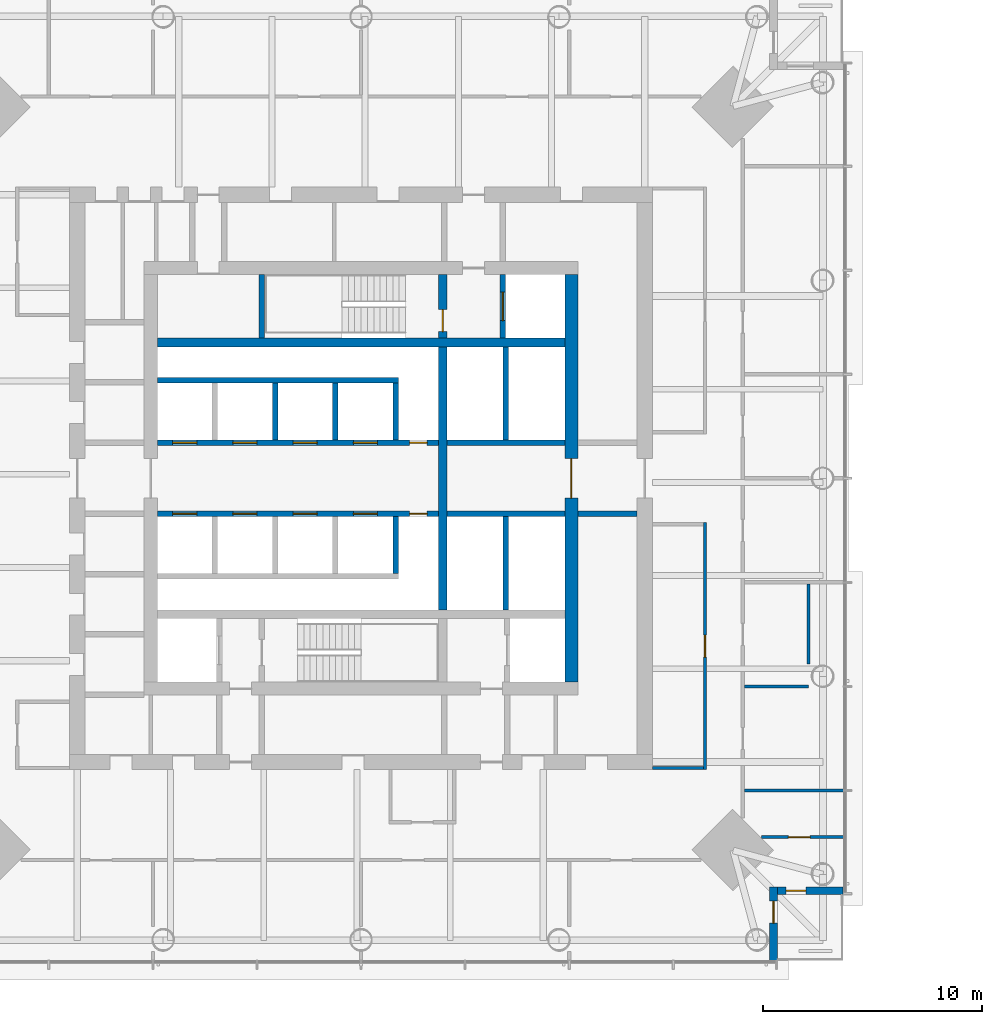
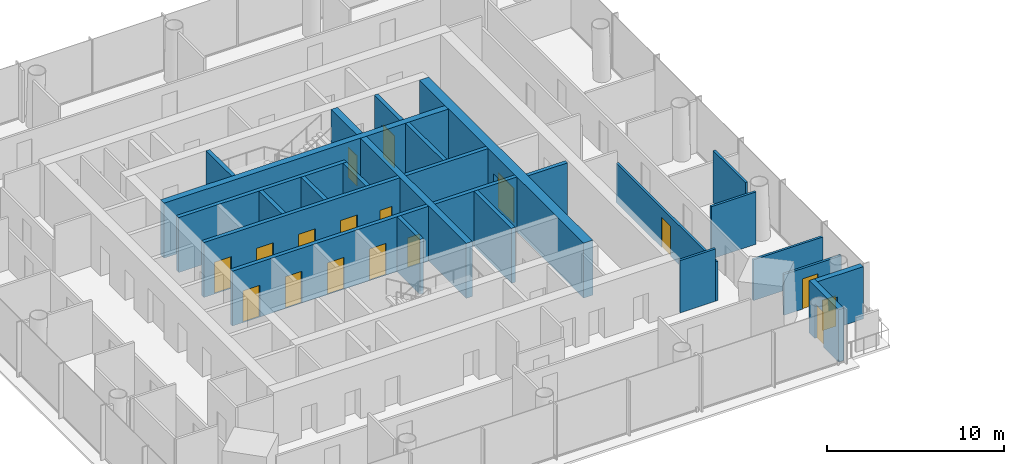
# One storey, part 10 of 27: 26 walls, 17 doors, 17 openings.
"""IFC4 building model written with IfcOpenShell, lengths in metres."""

from ifc_helpers import new_model, si_unit, direction, frame, frame_2d, origin, place, context, subcontext, project, spatial, rectangle, extrude, material, layer, layer_set, type_object, element, fill, save


model = new_model("IFC4")

# Units and contexts
model_context = context("Model", 3, precision=1e-05, world=origin(), true_north=direction((0.0, 1.0)))
body_context = subcontext(model_context, "Body", "Model", "MODEL_VIEW")
ifc_project = project(units=[si_unit("LENGTHUNIT", "METRE"), si_unit("AREAUNIT", "SQUARE_METRE"), si_unit("VOLUMEUNIT", "CUBIC_METRE"), si_unit("PLANEANGLEUNIT", "RADIAN"), si_unit("MASSUNIT", "GRAM", prefix="KILO")], contexts=[model_context])

# Site, building, storey
site_placement = place(None, origin())
site = spatial("IfcSite", under=ifc_project, at=site_placement, CompositionType="ELEMENT")
building_placement = place(site_placement, origin())
building = spatial("IfcBuilding", under=site, at=building_placement, Name="Ostroluk Exchange", CompositionType="ELEMENT")
storey_placement = place(building_placement, frame((0.0, 0.0, 112.199951171875)))
storey = spatial("IfcBuildingStorey", under=building, at=storey_placement, Name="L28", CompositionType="ELEMENT", Elevation=112.199951171875)

# Walls
ifc_material_1 = material(Name="Concrete blockwork", Category="masonry")
ifc_layer_1 = layer(ifc_material_1, 0.25)
ifc_layer_set_1 = layer_set([ifc_layer_1], Name="Blockwork stair enclosure wall 250")
wall_type_1 = type_object("IfcWallType", Name="Blockwork stair enclosure wall 250", PredefinedType="SOLIDWALL", material=ifc_layer_set_1)
wall_1_placement = place(storey_placement, frame((54.89990234375, 44.375, 0.0), z_axis=(0.0, 0.0, 1.0), x_axis=(1.0, 0.0, 0.0)))
element("IfcWall", 1, at=wall_1_placement, inside=storey, type_object=wall_type_1, Name="Lift lobby enclosure wall", PredefinedType="SOLIDWALL", context=body_context, shape_type="SweptSolid", body=[
    extrude(rectangle(XDim=2.7001953125, YDim=0.25, at=frame_2d((1.35009765625, 0.0))), origin(), (0.0, 0.0, 1.0), 3.6201171875),
])
ifc_material_2 = material(Name="Concrete C50/60", Category="concrete")
ifc_layer_2 = layer(ifc_material_2, 0.39990234375)
ifc_layer_set_2 = layer_set([ifc_layer_2], Name="Core cross wall 400 C50/60")
wall_type_2 = type_object("IfcWallType", Name="Core cross wall 400 C50/60", PredefinedType="SHEAR", material=ifc_layer_set_2)
wall_2_placement = place(storey_placement, frame((35.699951171875, 52.199951171875, 0.0), z_axis=(0.0, 0.0, 1.0), x_axis=(1.0, 0.0, 0.0)))
element("IfcWall", 2, at=wall_2_placement, inside=storey, type_object=wall_type_2, Name="T1 core wall XN", PredefinedType="SHEAR", context=body_context, shape_type="SweptSolid", body=[
    extrude(rectangle(XDim=18.60009765625, YDim=0.39990234375, at=frame_2d((9.300048828125, 0.0))), origin(), (0.0, 0.0, 1.0), 3.800048828125),
])
wall_3_placement = place(storey_placement, frame((48.72998046875, 40.0, 0.0), z_axis=(0.0, 0.0, 1.0), x_axis=(0.0, 1.0, 0.0)))
element("IfcWall", 3, at=wall_3_placement, inside=storey, type_object=wall_type_2, Name="T1 core wall YE2", PredefinedType="SHEAR", context=body_context, shape_type="SweptSolid", body=[
    extrude(rectangle(XDim=12.0, YDim=0.39990234375, at=frame_2d((6.0, 0.0))), origin(), (0.0, 0.0, 1.0), 3.800048828125),
])

# Wall, opening, door
wall_4_placement = place(storey_placement, frame((48.72998046875, 52.39990234375, 0.0), z_axis=(0.0, 0.0, 1.0), x_axis=(0.0, 1.0, 0.0)))
wall_4 = element("IfcWall", 4, at=wall_4_placement, inside=storey, type_object=wall_type_2, Name="T1 core wall YE3", PredefinedType="SHEAR", context=body_context, shape_type="SweptSolid", body=[
    extrude(rectangle(XDim=2.900146484375, YDim=0.39990234375, at=frame_2d((1.4501953125, 0.0))), origin(), (0.0, 0.0, 1.0), 3.800048828125),
])
opening_1_placement = place(wall_4_placement, frame((0.300048828125, 0.0, 0.0)))
opening_1 = element("IfcOpeningElement", 5, at=opening_1_placement, cuts=wall_4, Name="Opening FD60", PredefinedType="OPENING", context=body_context, shape_type="SweptSolid", body=[
    extrude(rectangle(XDim=1.0, YDim=2.10009765625, at=frame_2d((0.5, 1.050048828125))), frame((0.0, 0.2099609375, 0.0), z_axis=(0.0, -1.0, 0.0), x_axis=(1.0, 0.0, 0.0)), (0.0, 0.0, 1.0), 0.419921875),
])
ifc_material_3 = material(Name="Steel", Category="steel")
door_type_1 = type_object("IfcDoorType", Name="Fire door EI 60 1000 x 2100", OperationType="SINGLE_SWING_LEFT", PredefinedType="DOOR", material=ifc_material_3)
door_1_placement = place(opening_1_placement, origin())
door_1 = element("IfcDoor", 6, at=door_1_placement, inside=storey, type_object=door_type_1, Name="Stair T1-S2 door", OperationType="SINGLE_SWING_LEFT", OverallHeight=2.10009765625, OverallWidth=1.0, PredefinedType="DOOR", context=body_context, shape_type="SweptSolid", body=[
    extrude(rectangle(XDim=1.0, YDim=2.10009765625, at=frame_2d((0.5, 1.050048828125))), frame((0.0, 0.02490234375, 0.0), z_axis=(0.0, -1.0, 0.0), x_axis=(1.0, 0.0, 0.0)), (0.0, 0.0, 1.0), 0.050048828125),
])
fill(opening_1, door_1)

# Wall
ifc_material_4 = material(Name="Concrete C40/50", Category="concrete")
ifc_layer_3 = layer(ifc_material_4, 0.25)
ifc_layer_set_3 = layer_set([ifc_layer_3], Name="Core shaft wall 250")
wall_type_3 = type_object("IfcWallType", Name="Core shaft wall 250", PredefinedType="SHEAR", material=ifc_layer_set_3)
wall_5_placement = place(storey_placement, frame((40.47509765625, 52.39990234375, 0.0), z_axis=(0.0, 0.0, 1.0), x_axis=(0.0, 1.0, 0.0)))
element("IfcWall", 7, at=wall_5_placement, inside=storey, type_object=wall_type_3, Name="Stair shaft wall", PredefinedType="SHEAR", context=body_context, shape_type="SweptSolid", body=[
    extrude(rectangle(XDim=2.900146484375, YDim=0.25, at=frame_2d((1.4501953125, 0.0))), origin(), (0.0, 0.0, 1.0), 3.800048828125),
])

# Wall, opening, door
wall_6_placement = place(storey_placement, frame((51.47509765625, 52.39990234375, 0.0), z_axis=(0.0, 0.0, 1.0), x_axis=(0.0, 1.0, 0.0)))
wall_6 = element("IfcWall", 8, at=wall_6_placement, inside=storey, type_object=wall_type_3, Name="Firefighting lift shaft wall", PredefinedType="SHEAR", context=body_context, shape_type="SweptSolid", body=[
    extrude(rectangle(XDim=2.900146484375, YDim=0.25, at=frame_2d((1.4501953125, 0.0))), origin(), (0.0, 0.0, 1.0), 3.800048828125),
])
opening_2_placement = place(wall_6_placement, frame((0.800048828125, 0.0, 0.0)))
opening_2 = element("IfcOpeningElement", 9, at=opening_2_placement, cuts=wall_6, Name="Opening LD2", PredefinedType="OPENING", context=body_context, shape_type="SweptSolid", body=[
    extrude(rectangle(XDim=1.300048828125, YDim=2.199951171875, at=frame_2d((0.64990234375, 1.10009765625))), frame((0.0, 0.135009765625, 0.0), z_axis=(0.0, -1.0, 0.0), x_axis=(1.0, 0.0, 0.0)), (0.0, 0.0, 1.0), 0.27001953125),
])
ifc_material_5 = material(Name="Stainless steel", Category="steel")
door_type_2 = type_object("IfcDoorType", Name="Lift landing door E 60 1300 x 2200", OperationType="DOUBLE_DOOR_SLIDING", PredefinedType="DOOR", material=ifc_material_5)
door_2_placement = place(opening_2_placement, origin())
door_2 = element("IfcDoor", 10, at=door_2_placement, inside=storey, type_object=door_type_2, Name="Lift FL2 landing door", OperationType="DOUBLE_DOOR_SLIDING", OverallHeight=2.199951171875, OverallWidth=1.300048828125, PredefinedType="DOOR", context=body_context, shape_type="SweptSolid", body=[
    extrude(rectangle(XDim=1.300048828125, YDim=2.199951171875, at=frame_2d((0.64990234375, 1.10009765625))), frame((0.0, 0.02490234375, 0.0), z_axis=(0.0, -1.0, 0.0), x_axis=(1.0, 0.0, 0.0)), (0.0, 0.0, 1.0), 0.050048828125),
])
fill(opening_2, door_2)

# Walls
for number, where, z_axis, x_axis, name in (
    (11, (41.074951171875, 47.75, 0.0), (0.0, 0.0, 1.0), (0.0, 1.0, 0.0), "Lift shaft wall"),
    (12, (43.824951171875, 47.75, 0.0), (0.0, 0.0, 1.0), (0.0, 1.0, 0.0), "Lift shaft wall"),
    (13, (46.574951171875, 47.75, 0.0), (0.0, 0.0, 1.0), (0.0, 1.0, 0.0), "Lift shaft wall"),
):
    element("IfcWall", number, at=place(storey_placement, frame(where, z_axis=z_axis, x_axis=x_axis)), inside=storey, type_object=wall_type_3, Name=name, PredefinedType="SHEAR", context=body_context, shape_type="SweptSolid", body=[
        extrude(rectangle(XDim=2.60009765625, YDim=0.25, at=frame_2d((1.300048828125, 0.0))), origin(), (0.0, 0.0, 1.0), 3.800048828125),
    ])
wall_7_placement = place(storey_placement, frame((35.699951171875, 50.47509765625, 0.0), z_axis=(0.0, 0.0, 1.0), x_axis=(1.0, 0.0, 0.0)))
element("IfcWall", 14, at=wall_7_placement, inside=storey, type_object=wall_type_3, Name="Lift shaft wall", PredefinedType="SHEAR", context=body_context, shape_type="SweptSolid", body=[
    extrude(rectangle(XDim=11.0, YDim=0.25, at=frame_2d((5.5, 0.0))), origin(), (0.0, 0.0, 1.0), 3.800048828125),
])

# Wall, openings, doors
wall_8_placement = place(storey_placement, frame((35.699951171875, 47.625, 0.0), z_axis=(0.0, 0.0, 1.0), x_axis=(1.0, 0.0, 0.0)))
wall_8 = element("IfcWall", 15, at=wall_8_placement, inside=storey, type_object=wall_type_3, Name="Lift shaft front wall", PredefinedType="SHEAR", context=body_context, shape_type="SweptSolid", body=[
    extrude(rectangle(XDim=12.830078125, YDim=0.25, at=frame_2d((6.4150390625, 0.0))), origin(), (0.0, 0.0, 1.0), 3.800048828125),
])
opening_3_placement = place(wall_8_placement, frame((0.699951171875, 0.0, 0.0)))
opening_3 = element("IfcOpeningElement", 16, at=opening_3_placement, cuts=wall_8, Name="Opening LD", PredefinedType="OPENING", context=body_context, shape_type="SweptSolid", body=[
    extrude(rectangle(XDim=1.10009765625, YDim=2.199951171875, at=frame_2d((0.550048828125, 1.10009765625))), frame((0.0, 0.135009765625, 0.0), z_axis=(0.0, -1.0, 0.0), x_axis=(1.0, 0.0, 0.0)), (0.0, 0.0, 1.0), 0.27001953125),
])
opening_4_placement = place(wall_8_placement, frame((3.449951171875, 0.0, 0.0)))
opening_4 = element("IfcOpeningElement", 17, at=opening_4_placement, cuts=wall_8, Name="Opening LD", PredefinedType="OPENING", context=body_context, shape_type="SweptSolid", body=[
    extrude(rectangle(XDim=1.10009765625, YDim=2.199951171875, at=frame_2d((0.550048828125, 1.10009765625))), frame((0.0, 0.135009765625, 0.0), z_axis=(0.0, -1.0, 0.0), x_axis=(1.0, 0.0, 0.0)), (0.0, 0.0, 1.0), 0.27001953125),
])
opening_5_placement = place(wall_8_placement, frame((6.199951171875, 0.0, 0.0)))
opening_5 = element("IfcOpeningElement", 18, at=opening_5_placement, cuts=wall_8, Name="Opening LD", PredefinedType="OPENING", context=body_context, shape_type="SweptSolid", body=[
    extrude(rectangle(XDim=1.10009765625, YDim=2.199951171875, at=frame_2d((0.550048828125, 1.10009765625))), frame((0.0, 0.135009765625, 0.0), z_axis=(0.0, -1.0, 0.0), x_axis=(1.0, 0.0, 0.0)), (0.0, 0.0, 1.0), 0.27001953125),
])
opening_6_placement = place(wall_8_placement, frame((8.949951171875, 0.0, 0.0)))
opening_6 = element("IfcOpeningElement", 19, at=opening_6_placement, cuts=wall_8, Name="Opening LD", PredefinedType="OPENING", context=body_context, shape_type="SweptSolid", body=[
    extrude(rectangle(XDim=1.10009765625, YDim=2.199951171875, at=frame_2d((0.550048828125, 1.10009765625))), frame((0.0, 0.135009765625, 0.0), z_axis=(0.0, -1.0, 0.0), x_axis=(1.0, 0.0, 0.0)), (0.0, 0.0, 1.0), 0.27001953125),
])
opening_7_placement = place(wall_8_placement, frame((11.514892578125, 0.0, 0.0)))
opening_7 = element("IfcOpeningElement", 20, at=opening_7_placement, cuts=wall_8, Name="Opening RD60", PredefinedType="OPENING", context=body_context, shape_type="SweptSolid", body=[
    extrude(rectangle(XDim=0.800048828125, YDim=2.0, at=frame_2d((0.39990234375, 1.0))), frame((0.0, 0.135009765625, 0.0), z_axis=(0.0, -1.0, 0.0), x_axis=(1.0, 0.0, 0.0)), (0.0, 0.0, 1.0), 0.27001953125),
])
ifc_material_6 = material(Name="Stainless steel", Category="steel")
door_type_3 = type_object("IfcDoorType", Name="Lift landing door E 60 1100 x 2200", OperationType="DOUBLE_DOOR_SLIDING", PredefinedType="DOOR", material=ifc_material_6)
door_3_placement = place(opening_3_placement, origin())
door_3 = element("IfcDoor", 21, at=door_3_placement, inside=storey, type_object=door_type_3, Name="Lift PL-M1 landing door", OperationType="DOUBLE_DOOR_SLIDING", OverallHeight=2.199951171875, OverallWidth=1.10009765625, PredefinedType="DOOR", context=body_context, shape_type="SweptSolid", body=[
    extrude(rectangle(XDim=1.10009765625, YDim=2.199951171875, at=frame_2d((0.550048828125, 1.10009765625))), frame((0.0, 0.02490234375, 0.0), z_axis=(0.0, -1.0, 0.0), x_axis=(1.0, 0.0, 0.0)), (0.0, 0.0, 1.0), 0.050048828125),
])
fill(opening_3, door_3)
door_4_placement = place(opening_4_placement, origin())
door_4 = element("IfcDoor", 22, at=door_4_placement, inside=storey, type_object=door_type_3, Name="Lift PL-M2 landing door", OperationType="DOUBLE_DOOR_SLIDING", OverallHeight=2.199951171875, OverallWidth=1.10009765625, PredefinedType="DOOR", context=body_context, shape_type="SweptSolid", body=[
    extrude(rectangle(XDim=1.10009765625, YDim=2.199951171875, at=frame_2d((0.550048828125, 1.10009765625))), frame((0.0, 0.02490234375, 0.0), z_axis=(0.0, -1.0, 0.0), x_axis=(1.0, 0.0, 0.0)), (0.0, 0.0, 1.0), 0.050048828125),
])
fill(opening_4, door_4)
door_5_placement = place(opening_5_placement, origin())
door_5 = element("IfcDoor", 23, at=door_5_placement, inside=storey, type_object=door_type_3, Name="Lift PL-M3 landing door", OperationType="DOUBLE_DOOR_SLIDING", OverallHeight=2.199951171875, OverallWidth=1.10009765625, PredefinedType="DOOR", context=body_context, shape_type="SweptSolid", body=[
    extrude(rectangle(XDim=1.10009765625, YDim=2.199951171875, at=frame_2d((0.550048828125, 1.10009765625))), frame((0.0, 0.02490234375, 0.0), z_axis=(0.0, -1.0, 0.0), x_axis=(1.0, 0.0, 0.0)), (0.0, 0.0, 1.0), 0.050048828125),
])
fill(opening_5, door_5)
door_6_placement = place(opening_6_placement, origin())
door_6 = element("IfcDoor", 24, at=door_6_placement, inside=storey, type_object=door_type_3, Name="Lift PL-M4 landing door", OperationType="DOUBLE_DOOR_SLIDING", OverallHeight=2.199951171875, OverallWidth=1.10009765625, PredefinedType="DOOR", context=body_context, shape_type="SweptSolid", body=[
    extrude(rectangle(XDim=1.10009765625, YDim=2.199951171875, at=frame_2d((0.550048828125, 1.10009765625))), frame((0.0, 0.02490234375, 0.0), z_axis=(0.0, -1.0, 0.0), x_axis=(1.0, 0.0, 0.0)), (0.0, 0.0, 1.0), 0.050048828125),
])
fill(opening_6, door_6)
ifc_material_7 = material(Name="Steel", Category="steel")
door_type_4 = type_object("IfcDoorType", Name="Riser access door EI 60 800 x 2000", OperationType="SINGLE_SWING_LEFT", PredefinedType="DOOR", material=ifc_material_7)
door_7_placement = place(opening_7_placement, origin())
door_7 = element("IfcDoor", 25, at=door_7_placement, inside=storey, type_object=door_type_4, Name="Riser access door", OperationType="SINGLE_SWING_RIGHT", OverallHeight=2.0, OverallWidth=0.800048828125, PredefinedType="DOOR", context=body_context, shape_type="SweptSolid", body=[
    extrude(rectangle(XDim=0.800048828125, YDim=2.0, at=frame_2d((0.39990234375, 1.0))), frame((0.0, 0.02490234375, 0.0), z_axis=(0.0, -1.0, 0.0), x_axis=(1.0, 0.0, 0.0)), (0.0, 0.0, 1.0), 0.050048828125),
])
fill(opening_7, door_7)

# Wall
wall_9_placement = place(storey_placement, frame((46.574951171875, 44.25, 0.0), z_axis=(0.0, 0.0, 1.0), x_axis=(0.0, -1.0, 0.0)))
element("IfcWall", 26, at=wall_9_placement, inside=storey, type_object=wall_type_3, Name="Lift shaft wall", PredefinedType="SHEAR", context=body_context, shape_type="SweptSolid", body=[
    extrude(rectangle(XDim=2.60009765625, YDim=0.25, at=frame_2d((1.300048828125, 0.0))), origin(), (0.0, 0.0, 1.0), 3.800048828125),
])

# Wall, openings, doors
wall_10_placement = place(storey_placement, frame((35.699951171875, 44.375, 0.0), z_axis=(0.0, 0.0, 1.0), x_axis=(1.0, 0.0, 0.0)))
wall_10 = element("IfcWall", 27, at=wall_10_placement, inside=storey, type_object=wall_type_3, Name="Lift shaft front wall", PredefinedType="SHEAR", context=body_context, shape_type="SweptSolid", body=[
    extrude(rectangle(XDim=12.830078125, YDim=0.25, at=frame_2d((6.4150390625, 0.0))), origin(), (0.0, 0.0, 1.0), 3.800048828125),
])
opening_8_placement = place(wall_10_placement, frame((0.699951171875, 0.0, 0.0)))
opening_8 = element("IfcOpeningElement", 28, at=opening_8_placement, cuts=wall_10, Name="Opening LD", PredefinedType="OPENING", context=body_context, shape_type="SweptSolid", body=[
    extrude(rectangle(XDim=1.10009765625, YDim=2.199951171875, at=frame_2d((0.550048828125, 1.10009765625))), frame((0.0, 0.135009765625, 0.0), z_axis=(0.0, -1.0, 0.0), x_axis=(1.0, 0.0, 0.0)), (0.0, 0.0, 1.0), 0.27001953125),
])
opening_9_placement = place(wall_10_placement, frame((3.449951171875, 0.0, 0.0)))
opening_9 = element("IfcOpeningElement", 29, at=opening_9_placement, cuts=wall_10, Name="Opening LD", PredefinedType="OPENING", context=body_context, shape_type="SweptSolid", body=[
    extrude(rectangle(XDim=1.10009765625, YDim=2.199951171875, at=frame_2d((0.550048828125, 1.10009765625))), frame((0.0, 0.135009765625, 0.0), z_axis=(0.0, -1.0, 0.0), x_axis=(1.0, 0.0, 0.0)), (0.0, 0.0, 1.0), 0.27001953125),
])
opening_10_placement = place(wall_10_placement, frame((6.199951171875, 0.0, 0.0)))
opening_10 = element("IfcOpeningElement", 30, at=opening_10_placement, cuts=wall_10, Name="Opening LD", PredefinedType="OPENING", context=body_context, shape_type="SweptSolid", body=[
    extrude(rectangle(XDim=1.10009765625, YDim=2.199951171875, at=frame_2d((0.550048828125, 1.10009765625))), frame((0.0, 0.135009765625, 0.0), z_axis=(0.0, -1.0, 0.0), x_axis=(1.0, 0.0, 0.0)), (0.0, 0.0, 1.0), 0.27001953125),
])
opening_11_placement = place(wall_10_placement, frame((8.949951171875, 0.0, 0.0)))
opening_11 = element("IfcOpeningElement", 31, at=opening_11_placement, cuts=wall_10, Name="Opening LD", PredefinedType="OPENING", context=body_context, shape_type="SweptSolid", body=[
    extrude(rectangle(XDim=1.10009765625, YDim=2.199951171875, at=frame_2d((0.550048828125, 1.10009765625))), frame((0.0, 0.135009765625, 0.0), z_axis=(0.0, -1.0, 0.0), x_axis=(1.0, 0.0, 0.0)), (0.0, 0.0, 1.0), 0.27001953125),
])
opening_12_placement = place(wall_10_placement, frame((11.514892578125, 0.0, 0.0)))
opening_12 = element("IfcOpeningElement", 32, at=opening_12_placement, cuts=wall_10, Name="Opening RD60", PredefinedType="OPENING", context=body_context, shape_type="SweptSolid", body=[
    extrude(rectangle(XDim=0.800048828125, YDim=2.0, at=frame_2d((0.39990234375, 1.0))), frame((0.0, 0.135009765625, 0.0), z_axis=(0.0, -1.0, 0.0), x_axis=(1.0, 0.0, 0.0)), (0.0, 0.0, 1.0), 0.27001953125),
])
door_8_placement = place(opening_8_placement, origin())
door_8 = element("IfcDoor", 33, at=door_8_placement, inside=storey, type_object=door_type_3, Name="Lift PL-M5 landing door", OperationType="DOUBLE_DOOR_SLIDING", OverallHeight=2.199951171875, OverallWidth=1.10009765625, PredefinedType="DOOR", context=body_context, shape_type="SweptSolid", body=[
    extrude(rectangle(XDim=1.10009765625, YDim=2.199951171875, at=frame_2d((0.550048828125, 1.10009765625))), frame((0.0, 0.02490234375, 0.0), z_axis=(0.0, -1.0, 0.0), x_axis=(1.0, 0.0, 0.0)), (0.0, 0.0, 1.0), 0.050048828125),
])
fill(opening_8, door_8)
door_9_placement = place(opening_9_placement, origin())
door_9 = element("IfcDoor", 34, at=door_9_placement, inside=storey, type_object=door_type_3, Name="Lift PL-M6 landing door", OperationType="DOUBLE_DOOR_SLIDING", OverallHeight=2.199951171875, OverallWidth=1.10009765625, PredefinedType="DOOR", context=body_context, shape_type="SweptSolid", body=[
    extrude(rectangle(XDim=1.10009765625, YDim=2.199951171875, at=frame_2d((0.550048828125, 1.10009765625))), frame((0.0, 0.02490234375, 0.0), z_axis=(0.0, -1.0, 0.0), x_axis=(1.0, 0.0, 0.0)), (0.0, 0.0, 1.0), 0.050048828125),
])
fill(opening_9, door_9)
door_10_placement = place(opening_10_placement, origin())
door_10 = element("IfcDoor", 35, at=door_10_placement, inside=storey, type_object=door_type_3, Name="Lift PL-M7 landing door", OperationType="DOUBLE_DOOR_SLIDING", OverallHeight=2.199951171875, OverallWidth=1.10009765625, PredefinedType="DOOR", context=body_context, shape_type="SweptSolid", body=[
    extrude(rectangle(XDim=1.10009765625, YDim=2.199951171875, at=frame_2d((0.550048828125, 1.10009765625))), frame((0.0, 0.02490234375, 0.0), z_axis=(0.0, -1.0, 0.0), x_axis=(1.0, 0.0, 0.0)), (0.0, 0.0, 1.0), 0.050048828125),
])
fill(opening_10, door_10)
door_11_placement = place(opening_11_placement, origin())
door_11 = element("IfcDoor", 36, at=door_11_placement, inside=storey, type_object=door_type_3, Name="Lift PL-M8 landing door", OperationType="DOUBLE_DOOR_SLIDING", OverallHeight=2.199951171875, OverallWidth=1.10009765625, PredefinedType="DOOR", context=body_context, shape_type="SweptSolid", body=[
    extrude(rectangle(XDim=1.10009765625, YDim=2.199951171875, at=frame_2d((0.550048828125, 1.10009765625))), frame((0.0, 0.02490234375, 0.0), z_axis=(0.0, -1.0, 0.0), x_axis=(1.0, 0.0, 0.0)), (0.0, 0.0, 1.0), 0.050048828125),
])
fill(opening_11, door_11)
door_12_placement = place(opening_12_placement, origin())
door_12 = element("IfcDoor", 37, at=door_12_placement, inside=storey, type_object=door_type_4, Name="Riser access door", OperationType="SINGLE_SWING_RIGHT", OverallHeight=2.0, OverallWidth=0.800048828125, PredefinedType="DOOR", context=body_context, shape_type="SweptSolid", body=[
    extrude(rectangle(XDim=0.800048828125, YDim=2.0, at=frame_2d((0.39990234375, 1.0))), frame((0.0, 0.02490234375, 0.0), z_axis=(0.0, -1.0, 0.0), x_axis=(1.0, 0.0, 0.0)), (0.0, 0.0, 1.0), 0.050048828125),
])
fill(opening_12, door_12)

# Walls
wall_11_placement = place(storey_placement, frame((51.614990234375, 47.75, 0.0), z_axis=(0.0, 0.0, 1.0), x_axis=(0.0, 1.0, 0.0)))
element("IfcWall", 38, at=wall_11_placement, inside=storey, type_object=wall_type_3, Name="Lift shaft wall", PredefinedType="SHEAR", context=body_context, shape_type="SweptSolid", body=[
    extrude(rectangle(XDim=4.25, YDim=0.25, at=frame_2d((2.125, 0.0))), origin(), (0.0, 0.0, 1.0), 3.800048828125),
])
wall_12_placement = place(storey_placement, frame((48.929931640625, 47.625, 0.0), z_axis=(0.0, 0.0, 1.0), x_axis=(1.0, 0.0, 0.0)))
element("IfcWall", 39, at=wall_12_placement, inside=storey, type_object=wall_type_3, Name="Lift shaft front wall", PredefinedType="SHEAR", context=body_context, shape_type="SweptSolid", body=[
    extrude(rectangle(XDim=5.3701171875, YDim=0.25, at=frame_2d((2.68505859375, 0.0))), origin(), (0.0, 0.0, 1.0), 3.800048828125),
])
wall_13_placement = place(storey_placement, frame((51.614990234375, 44.25, 0.0), z_axis=(0.0, 0.0, 1.0), x_axis=(0.0, -1.0, 0.0)))
element("IfcWall", 40, at=wall_13_placement, inside=storey, type_object=wall_type_3, Name="Lift shaft wall", PredefinedType="SHEAR", context=body_context, shape_type="SweptSolid", body=[
    extrude(rectangle(XDim=4.25, YDim=0.25, at=frame_2d((2.125, 0.0))), origin(), (0.0, 0.0, 1.0), 3.800048828125),
])
wall_14_placement = place(storey_placement, frame((48.929931640625, 44.375, 0.0), z_axis=(0.0, 0.0, 1.0), x_axis=(1.0, 0.0, 0.0)))
element("IfcWall", 41, at=wall_14_placement, inside=storey, type_object=wall_type_3, Name="Lift shaft front wall", PredefinedType="SHEAR", context=body_context, shape_type="SweptSolid", body=[
    extrude(rectangle(XDim=5.3701171875, YDim=0.25, at=frame_2d((2.68505859375, 0.0))), origin(), (0.0, 0.0, 1.0), 3.800048828125),
])

# Wall, opening, door
ifc_material_8 = material(Name="Concrete C50/60", Category="concrete")
ifc_layer_4 = layer(ifc_material_8, 0.60009765625)
ifc_layer_set_4 = layer_set([ifc_layer_4], Name="Core wall 600 C50/60")
wall_type_4 = type_object("IfcWallType", Name="Core wall 600 C50/60", PredefinedType="SHEAR", material=ifc_layer_set_4)
wall_15_placement = place(storey_placement, frame((54.60009765625, 36.699951171875, 0.0), z_axis=(0.0, 0.0, 1.0), x_axis=(0.0, 1.0, 0.0)))
wall_15 = element("IfcWall", 42, at=wall_15_placement, inside=storey, type_object=wall_type_4, Name="T1 core wall E", PredefinedType="SHEAR", context=body_context, shape_type="SweptSolid", body=[
    extrude(rectangle(XDim=18.60009765625, YDim=0.60009765625, at=frame_2d((9.300048828125, 0.0))), origin(), (0.0, 0.0, 1.0), 3.800048828125),
])
opening_13_placement = place(wall_15_placement, frame((8.39990234375, 0.0, 0.0)))
opening_13 = element("IfcOpeningElement", 43, at=opening_13_placement, cuts=wall_15, Name="Opening FD30D", PredefinedType="OPENING", context=body_context, shape_type="SweptSolid", body=[
    extrude(rectangle(XDim=1.800048828125, YDim=2.39990234375, at=frame_2d((0.89990234375, 1.199951171875))), frame((0.0, 0.31005859375, 0.0), z_axis=(0.0, -1.0, 0.0), x_axis=(1.0, 0.0, 0.0)), (0.0, 0.0, 1.0), 0.6201171875),
])
ifc_material_9 = material(Name="Timber", Category="wood")
door_type_5 = type_object("IfcDoorType", Name="Lobby double door EI 30 1800 x 2400", OperationType="DOUBLE_DOOR_SINGLE_SWING", PredefinedType="DOOR", material=ifc_material_9)
door_13_placement = place(opening_13_placement, origin())
door_13 = element("IfcDoor", 44, at=door_13_placement, inside=storey, type_object=door_type_5, Name="Lift lobby doors", OperationType="DOUBLE_DOOR_SINGLE_SWING", OverallHeight=2.39990234375, OverallWidth=1.800048828125, PredefinedType="DOOR", context=body_context, shape_type="SweptSolid", body=[
    extrude(rectangle(XDim=1.800048828125, YDim=2.39990234375, at=frame_2d((0.89990234375, 1.199951171875))), frame((0.0, 0.02490234375, 0.0), z_axis=(0.0, -1.0, 0.0), x_axis=(1.0, 0.0, 0.0)), (0.0, 0.0, 1.0), 0.050048828125),
])
fill(opening_13, door_13)

ifc_material_10 = material(Name="Limestone", Category="masonry")
ifc_layer_5 = layer(ifc_material_10, 0.35009765625)
ifc_layer_set_5 = layer_set([ifc_layer_5], Name="Limestone facade wall 350")
wall_type_5 = type_object("IfcWallType", Name="Limestone facade wall 350", PredefinedType="SOLIDWALL", material=ifc_layer_set_5)
wall_16_placement = place(storey_placement, frame((63.824951171875, 24.0, 0.0), z_axis=(0.0, 0.0, 1.0), x_axis=(0.0, 1.0, 0.0)))
wall_16 = element("IfcWall", 45, at=wall_16_placement, inside=storey, type_object=wall_type_5, Name="Office tower SE corner wall L28 a", PredefinedType="SOLIDWALL", context=body_context, shape_type="SweptSolid", body=[
    extrude(rectangle(XDim=3.35009765625, YDim=0.35009765625, at=frame_2d((1.675048828125, 0.0))), origin(), (0.0, 0.0, 1.0), 3.6201171875),
])
opening_14_placement = place(wall_16_placement, frame((1.699951171875, 0.0, 0.0)))
opening_14 = element("IfcOpeningElement", 46, at=opening_14_placement, cuts=wall_16, Name="Opening D-B1", PredefinedType="OPENING", context=body_context, shape_type="SweptSolid", body=[
    extrude(rectangle(XDim=1.0, YDim=2.39990234375, at=frame_2d((0.5, 1.199951171875))), frame((0.0, 0.18505859375, 0.0), z_axis=(0.0, -1.0, 0.0), x_axis=(1.0, 0.0, 0.0)), (0.0, 0.0, 1.0), 0.3701171875),
])
ifc_material_11 = material(Name="Bronze framed glazed door", Category="aluminium")
door_type_6 = type_object("IfcDoorType", Name="Balcony door 1000 x 2400", OperationType="SINGLE_SWING_LEFT", PredefinedType="DOOR", material=ifc_material_11)
door_14_placement = place(opening_14_placement, origin())
door_14 = element("IfcDoor", 47, at=door_14_placement, inside=storey, type_object=door_type_6, Name="Office tower SE balcony door L28", OperationType="SINGLE_SWING_RIGHT", OverallHeight=2.39990234375, OverallWidth=1.0, PredefinedType="DOOR", context=body_context, shape_type="SweptSolid", body=[
    extrude(rectangle(XDim=1.0, YDim=2.39990234375, at=frame_2d((0.5, 1.199951171875))), frame((0.0, 0.02490234375, 0.0), z_axis=(0.0, -1.0, 0.0), x_axis=(1.0, 0.0, 0.0)), (0.0, 0.0, 1.0), 0.050048828125),
])
fill(opening_14, door_14)

wall_17_placement = place(storey_placement, frame((64.0, 27.175048828125, 0.0), z_axis=(0.0, 0.0, 1.0), x_axis=(1.0, 0.0, 0.0)))
wall_17 = element("IfcWall", 48, at=wall_17_placement, inside=storey, type_object=wall_type_5, Name="Office tower SE corner wall L28 b", PredefinedType="SOLIDWALL", context=body_context, shape_type="SweptSolid", body=[
    extrude(rectangle(XDim=3.0, YDim=0.35009765625, at=frame_2d((1.5, 0.0))), origin(), (0.0, 0.0, 1.0), 3.6201171875),
])
opening_15_placement = place(wall_17_placement, frame((0.39990234375, 0.0, 0.0)))
opening_15 = element("IfcOpeningElement", 49, at=opening_15_placement, cuts=wall_17, Name="Opening D-M1", PredefinedType="OPENING", context=body_context, shape_type="SweptSolid", body=[
    extrude(rectangle(XDim=0.89990234375, YDim=2.10009765625, at=frame_2d((0.449951171875, 1.050048828125))), frame((0.0, 0.18505859375, 0.0), z_axis=(0.0, -1.0, 0.0), x_axis=(1.0, 0.0, 0.0)), (0.0, 0.0, 1.0), 0.3701171875),
])
ifc_material_12 = material(Name="Steel door", Category="steel")
door_type_7 = type_object("IfcDoorType", Name="Maintenance access door 900 x 2100", OperationType="SINGLE_SWING_LEFT", PredefinedType="DOOR", material=ifc_material_12)
door_15_placement = place(opening_15_placement, origin())
door_15 = element("IfcDoor", 50, at=door_15_placement, inside=storey, type_object=door_type_7, Name="Maintenance access door T1 L28 SE", OperationType="SINGLE_SWING_LEFT", OverallHeight=2.10009765625, OverallWidth=0.89990234375, PredefinedType="DOOR", context=body_context, shape_type="SweptSolid", body=[
    extrude(rectangle(XDim=0.89990234375, YDim=2.10009765625, at=frame_2d((0.449951171875, 1.050048828125))), frame((0.0, 0.02490234375, 0.0), z_axis=(0.0, -1.0, 0.0), x_axis=(1.0, 0.0, 0.0)), (0.0, 0.0, 1.0), 0.050048828125),
])
fill(opening_15, door_15)

ifc_material_13 = material(Name="Gypsum plasterboard partition", Category="gypsum")
ifc_layer_6 = layer(ifc_material_13, 0.14990234375)
ifc_layer_set_6 = layer_set([ifc_layer_6], Name="Plasterboard partition 150")
wall_type_6 = type_object("IfcWallType", Name="Plasterboard partition 150", PredefinedType="PARTITIONING", material=ifc_layer_set_6)
wall_18_placement = place(storey_placement, frame((60.699951171875, 32.699951171875, 0.0), z_axis=(0.0, 0.0, 1.0), x_axis=(0.0, 1.0, 0.0)))
wall_18 = element("IfcWall", 51, at=wall_18_placement, inside=storey, type_object=wall_type_6, Name="Partition", PredefinedType="PARTITIONING", context=body_context, shape_type="SweptSolid", body=[
    extrude(rectangle(XDim=11.275146484375, YDim=0.14990234375, at=frame_2d((5.6376953125, 0.0))), origin(), (0.0, 0.0, 1.0), 2.719970703125),
])
opening_16_placement = place(wall_18_placement, frame((5.137451171875, 0.0, 0.0)))
opening_16 = element("IfcOpeningElement", 52, at=opening_16_placement, cuts=wall_18, Name="Opening D-03", PredefinedType="OPENING", context=body_context, shape_type="SweptSolid", body=[
    extrude(rectangle(XDim=1.0, YDim=2.10009765625, at=frame_2d((0.5, 1.050048828125))), frame((0.0, 0.0849609375, 0.0), z_axis=(0.0, -1.0, 0.0), x_axis=(1.0, 0.0, 0.0)), (0.0, 0.0, 1.0), 0.169921875),
])
ifc_material_14 = material(Name="Timber", Category="wood")
door_type_8 = type_object("IfcDoorType", Name="Internal door 1000 x 2100", OperationType="SINGLE_SWING_LEFT", PredefinedType="DOOR", material=ifc_material_14)
door_16_placement = place(opening_16_placement, origin())
door_16 = element("IfcDoor", 53, at=door_16_placement, inside=storey, type_object=door_type_8, Name="Meeting room door", OperationType="SINGLE_SWING_RIGHT", OverallHeight=2.10009765625, OverallWidth=1.0, PredefinedType="DOOR", context=body_context, shape_type="SweptSolid", body=[
    extrude(rectangle(XDim=1.0, YDim=2.10009765625, at=frame_2d((0.5, 1.050048828125))), frame((0.0, 0.02490234375, 0.0), z_axis=(0.0, -1.0, 0.0), x_axis=(1.0, 0.0, 0.0)), (0.0, 0.0, 1.0), 0.050048828125),
])
fill(opening_16, door_16)

# Walls
wall_19_placement = place(storey_placement, frame((58.300048828125, 32.77490234375, 0.0), z_axis=(0.0, 0.0, 1.0), x_axis=(1.0, 0.0, 0.0)))
element("IfcWall", 54, at=wall_19_placement, inside=storey, type_object=wall_type_6, Name="Partition", PredefinedType="PARTITIONING", context=body_context, shape_type="SweptSolid", body=[
    extrude(rectangle(XDim=2.324951171875, YDim=0.14990234375, at=frame_2d((1.16259765625, 0.0))), origin(), (0.0, 0.0, 1.0), 3.6201171875),
])
wall_20_placement = place(storey_placement, frame((65.425048828125, 37.52587890625, 0.0), z_axis=(0.0, 0.0, 1.0), x_axis=(0.0, 1.0, 0.0)))
element("IfcWall", 55, at=wall_20_placement, inside=storey, type_object=wall_type_6, Name="Partition", PredefinedType="PARTITIONING", context=body_context, shape_type="SweptSolid", body=[
    extrude(rectangle(XDim=3.649169921875, YDim=0.14990234375, at=frame_2d((1.82470703125, 0.0))), origin(), (0.0, 0.0, 1.0), 3.6201171875),
])
wall_21_placement = place(storey_placement, frame((62.5, 31.75, 0.0), z_axis=(0.0, 0.0, 1.0), x_axis=(1.0, 0.0, 0.0)))
element("IfcWall", 56, at=wall_21_placement, inside=storey, type_object=wall_type_6, Name="Partition", PredefinedType="PARTITIONING", context=body_context, shape_type="SweptSolid", body=[
    extrude(rectangle(XDim=4.5400390625, YDim=0.14990234375, at=frame_2d((2.27001953125, 0.0))), origin(), (0.0, 0.0, 1.0), 2.820068359375),
])
wall_22_placement = place(storey_placement, frame((62.5, 36.5, 0.0), z_axis=(0.0, 0.0, 1.0), x_axis=(1.0, 0.0, 0.0)))
element("IfcWall", 57, at=wall_22_placement, inside=storey, type_object=wall_type_6, Name="Partition", PredefinedType="PARTITIONING", context=body_context, shape_type="SweptSolid", body=[
    extrude(rectangle(XDim=2.925048828125, YDim=0.14990234375, at=frame_2d((1.46240234375, 0.0))), origin(), (0.0, 0.0, 1.0), 3.6201171875),
])

# Wall, opening, door
wall_23_placement = place(storey_placement, frame((63.28857421875, 29.625, 0.0), z_axis=(0.0, 0.0, 1.0), x_axis=(1.0, 0.0, 0.0)))
wall_23 = element("IfcWall", 58, at=wall_23_placement, inside=storey, type_object=wall_type_6, Name="Partition", PredefinedType="PARTITIONING", context=body_context, shape_type="SweptSolid", body=[
    extrude(rectangle(XDim=3.75146484375, YDim=0.14990234375, at=frame_2d((1.875732421875, 0.0))), origin(), (0.0, 0.0, 1.0), 2.820068359375),
])
opening_17_placement = place(wall_23_placement, frame((1.21142578125, 0.0, 0.0)))
opening_17 = element("IfcOpeningElement", 59, at=opening_17_placement, cuts=wall_23, Name="Opening D-03", PredefinedType="OPENING", context=body_context, shape_type="SweptSolid", body=[
    extrude(rectangle(XDim=1.0, YDim=2.10009765625, at=frame_2d((0.5, 1.050048828125))), frame((0.0, 0.0849609375, 0.0), z_axis=(0.0, -1.0, 0.0), x_axis=(1.0, 0.0, 0.0)), (0.0, 0.0, 1.0), 0.169921875),
])
door_17_placement = place(opening_17_placement, origin())
door_17 = element("IfcDoor", 60, at=door_17_placement, inside=storey, type_object=door_type_8, Name="Facade maintenance store door", OperationType="SINGLE_SWING_LEFT", OverallHeight=2.10009765625, OverallWidth=1.0, PredefinedType="DOOR", context=body_context, shape_type="SweptSolid", body=[
    extrude(rectangle(XDim=1.0, YDim=2.10009765625, at=frame_2d((0.5, 1.050048828125))), frame((0.0, 0.02490234375, 0.0), z_axis=(0.0, -1.0, 0.0), x_axis=(1.0, 0.0, 0.0)), (0.0, 0.0, 1.0), 0.050048828125),
])
fill(opening_17, door_17)

save(model, "model.ifc")
